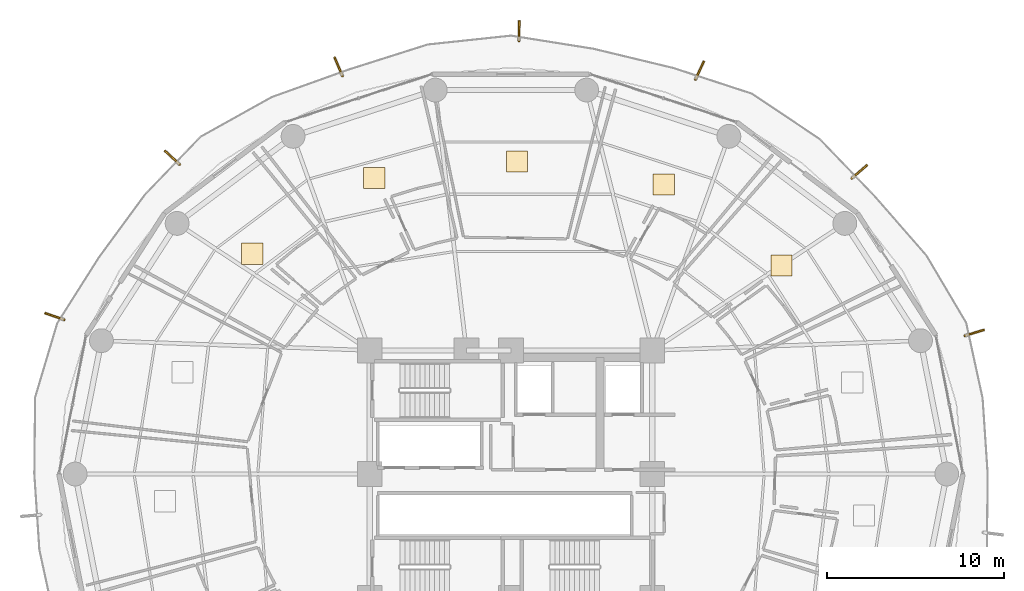
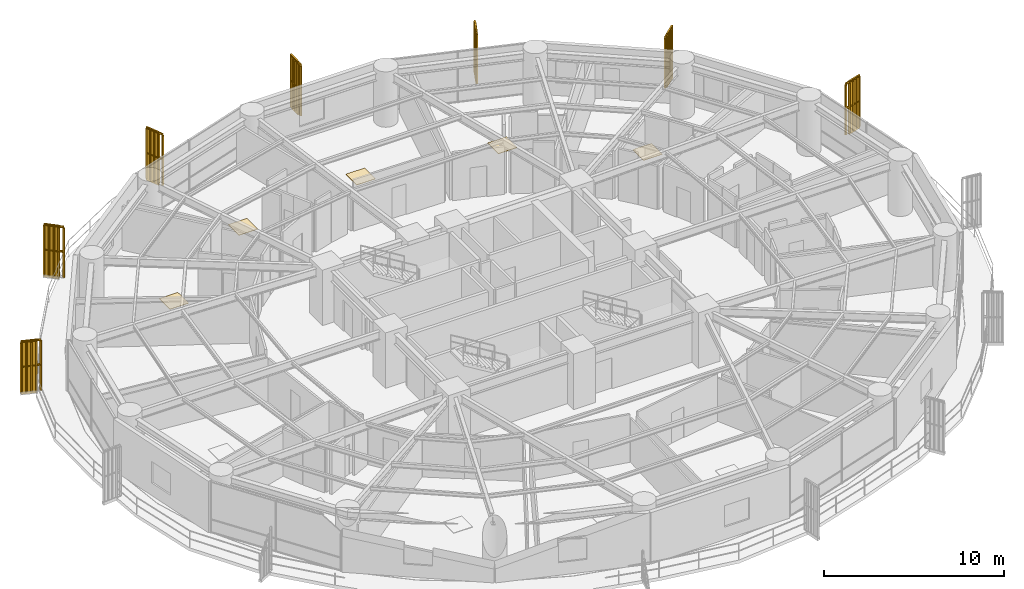
# One storey, part 36 of 36: 7 railings, 7 shading devices, 5 coverings.
"""IFC4 building model written with IfcOpenShell, lengths in metres."""

import ifcopenshell
import ifcopenshell.guid

model = None  # the IFC model being written
_history = None  # IfcOwnerHistory: only IFC2X3 demands one
_inside = {}  # id of a spatial element -> (the spatial element, [elements in it])
_under = {}  # id of a project, library or spatial element -> (it, [spatial elements below it])
_declared = {}  # id of a project -> (the project, [libraries it declares])
_typed = {}  # id of a type object -> (the type object, [elements of that type])
_made_of = {}  # id of a material, layer set ... -> (it, [elements and type objects made of it])


def new_model(schema):
    """Start an empty IFC model of exactly this schema.

    Asked for "IFC4X3", IfcOpenShell would pick the latest addendum, in which some entities
    have other attributes; the version numbers below select the first issue.
    IFC2X3 requires an IfcOwnerHistory on every rooted entity: one is made here for all.
    """
    global model, _history
    if schema == "IFC4X3":
        model = ifcopenshell.file(schema_version=(4, 3, 0, 0))
    else:
        model = ifcopenshell.file(schema=schema)
    _inside.clear()
    _under.clear()
    _declared.clear()
    _typed.clear()
    _made_of.clear()
    _history = None
    if model.schema == "IFC2X3":
        org = make("IfcOrganization", Name="unknown")
        user = make(
            "IfcPersonAndOrganization",
            ThePerson=make("IfcPerson", FamilyName="unknown"),
            TheOrganization=org,
        )
        app = make(
            "IfcApplication",
            ApplicationDeveloper=org,
            Version="unknown",
            ApplicationFullName="unknown",
            ApplicationIdentifier="unknown",
        )
        _history = make(
            "IfcOwnerHistory",
            OwningUser=user,
            OwningApplication=app,
            ChangeAction="ADDED",
            CreationDate=0,
        )
    return model


def make(cls, **values):
    """One entity of the class cls with the attributes given. An attribute that is None is left unset."""
    return model.create_entity(
        cls, **{name: value for name, value in values.items() if value is not None}
    )


def rooted(cls, **values):
    """An entity with a GlobalId (a new one), such as an element, a storey or a relation."""
    return make(cls, GlobalId=ifcopenshell.guid.new(), OwnerHistory=_history, **values)


def si_unit(unit_type, name, prefix=None):
    """IfcSIUnit, for example si_unit("LENGTHUNIT", "METRE", prefix="MILLI")."""
    return make("IfcSIUnit", UnitType=unit_type, Prefix=prefix, Name=name)


def assignment(units):
    """IfcUnitAssignment: the units of a project."""
    return None if units is None else make("IfcUnitAssignment", Units=units)


def point(xyz):
    """IfcCartesianPoint."""
    return None if xyz is None else make("IfcCartesianPoint", Coordinates=xyz)


def direction(xyz):
    """IfcDirection."""
    return None if xyz is None else make("IfcDirection", DirectionRatios=xyz)


def frame(location, z_axis=None, x_axis=None):
    """IfcAxis2Placement3D, a coordinate frame: its origin and axes. An axis left out is left unset."""
    return make(
        "IfcAxis2Placement3D",
        Location=point(location),
        Axis=direction(z_axis),
        RefDirection=direction(x_axis),
    )


def frame_2d(location, x_axis=None):
    """IfcAxis2Placement2D, a coordinate frame in the plane: its origin and x axis."""
    return make(
        "IfcAxis2Placement2D", Location=point(location), RefDirection=direction(x_axis)
    )


def origin():
    """The frame at (0, 0, 0) with its axes left unset."""
    return frame((0.0, 0.0, 0.0))


def origin_2d():
    """The frame at (0, 0) in the plane with its x axis left unset."""
    return frame_2d((0.0, 0.0))


def place(relative_to, where):
    """IfcLocalPlacement: puts the frame where relative to a parent placement (None: the world)."""
    return make(
        "IfcLocalPlacement", PlacementRelTo=relative_to, RelativePlacement=where
    )


def context(
    kind, dimensions, precision=None, world=None, true_north=None, identifier=None
):
    """IfcGeometricRepresentationContext, for example the 3D "Model" context."""
    return make(
        "IfcGeometricRepresentationContext",
        ContextIdentifier=identifier,
        ContextType=kind,
        CoordinateSpaceDimension=dimensions,
        Precision=precision,
        WorldCoordinateSystem=world,
        TrueNorth=true_north,
    )


def subcontext(parent, identifier, kind, view, scale=None):
    """IfcGeometricRepresentationSubContext, for example "Body" below "Model"."""
    return make(
        "IfcGeometricRepresentationSubContext",
        ContextIdentifier=identifier,
        ContextType=kind,
        ParentContext=parent,
        TargetScale=scale,
        TargetView=view,
    )


def project(units=None, contexts=None):
    """IfcProject with its units and contexts."""
    return rooted(
        "IfcProject",
        Name="project",
        RepresentationContexts=contexts,
        UnitsInContext=assignment(units),
    )


def spatial(cls, under=None, at=None, **own):
    """A site, building, storey or space (cls), placed at a placement, below another one or the project."""
    s = rooted(cls, ObjectPlacement=at, **own)
    if under is not None:
        _under.setdefault(under.id(), (under, []))[1].append(s)
    return s


def polyline(points):
    """IfcPolyline through the points."""
    return make("IfcPolyline", Points=[point(p) for p in points])


def profile(cls, at=None, kind="AREA", **sizes):
    """A parametric profile (cls). Its sizes go by their IFC names, for example OverallWidth=200.0."""
    return make(cls, ProfileType=kind, Position=at, **sizes)


def rectangle(**sizes):
    """IfcRectangleProfileDef."""
    return profile("IfcRectangleProfileDef", **sizes)


def outline(outer, holes=None, kind="AREA"):
    """IfcArbitraryClosedProfileDef: a profile drawn as a closed curve; with holes, ...WithVoids."""
    if holes is None:
        return make("IfcArbitraryClosedProfileDef", ProfileType=kind, OuterCurve=outer)
    return make(
        "IfcArbitraryProfileDefWithVoids",
        ProfileType=kind,
        OuterCurve=outer,
        InnerCurves=holes,
    )


def extrude(swept, where, along, depth):
    """IfcExtrudedAreaSolid: the profile swept, set in the frame where, extruded along a direction by depth."""
    return make(
        "IfcExtrudedAreaSolid",
        SweptArea=swept,
        Position=where,
        ExtrudedDirection=direction(along),
        Depth=depth,
    )


def shape(context_of_items, identifier, shape_type, items):
    """IfcShapeRepresentation: the items that make up one representation, for example the "Body"."""
    return make(
        "IfcShapeRepresentation",
        ContextOfItems=context_of_items,
        RepresentationIdentifier=identifier,
        RepresentationType=shape_type,
        Items=items,
    )


def source(mapping_origin, context_of_items, identifier, shape_type, items):
    """IfcRepresentationMap: a shape defined once, which mapped items show again and again."""
    return make(
        "IfcRepresentationMap",
        MappingOrigin=mapping_origin,
        MappedRepresentation=shape(context_of_items, identifier, shape_type, items),
    )


def transform(
    local_origin,
    x_axis=None,
    y_axis=None,
    z_axis=None,
    scale=None,
    scale2=None,
    scale3=None,
    uniform=True,
):
    """IfcCartesianTransformationOperator3D, or its non-uniform kind. x_axis, y_axis, z_axis: its Axis1, 2, 3."""
    if uniform:
        return make(
            "IfcCartesianTransformationOperator3D",
            Axis1=direction(x_axis),
            Axis2=direction(y_axis),
            LocalOrigin=point(local_origin),
            Scale=scale,
            Axis3=direction(z_axis),
        )
    return make(
        "IfcCartesianTransformationOperator3DnonUniform",
        Axis1=direction(x_axis),
        Axis2=direction(y_axis),
        LocalOrigin=point(local_origin),
        Scale=scale,
        Axis3=direction(z_axis),
        Scale2=scale2,
        Scale3=scale3,
    )


def mapped(mapping_source, mapping_target):
    """IfcMappedItem: shows the shape of a source again, moved by a transform."""
    return make(
        "IfcMappedItem", MappingSource=mapping_source, MappingTarget=mapping_target
    )


def material(Name=None, Category=None):
    """IfcMaterial."""
    return make("IfcMaterial", Name=Name, Category=Category)


def layer(
    of_material, thickness, ventilated=None, Name=None, Category=None, Priority=None
):
    """IfcMaterialLayer: one layer of a wall or slab, of a material (None: an air gap)."""
    return make(
        "IfcMaterialLayer",
        Material=of_material,
        LayerThickness=thickness,
        IsVentilated=ventilated,
        Name=Name,
        Category=Category,
        Priority=Priority,
    )


def layer_set(layers, Name=None):
    """IfcMaterialLayerSet."""
    return make("IfcMaterialLayerSet", MaterialLayers=layers, LayerSetName=Name)


def made_of(thing, what):
    """Note that an element or type object is made of a material, layer set ...; save() writes the relation."""
    if what is not None:
        _made_of.setdefault(what.id(), (what, []))[1].append(thing)
    return thing


def type_object(cls, material=None, **own):
    """A type object (cls), such as IfcWallType, which elements share."""
    return made_of(rooted(cls, **own), material)


def element(
    cls,
    number,
    at=None,
    inside=None,
    cuts=None,
    type_object=None,
    material=None,
    context=None,
    identifier="Body",
    shape_type=None,
    held_by="IfcProductDefinitionShape",
    body=None,
    shapes=None,
    **own,
):
    """One element of the class cls, such as IfcWall. Its Tag is "e" and its number.

    at: its placement. inside: the storey or other place that contains it. cuts: it is an
    opening in that element (IfcRelVoidsElement). A single representation is given by context,
    identifier, shape_type and body (its items); several are given by shapes. held_by: the class
    of the entity that holds the representations. save() writes the other relations.
    """
    e = rooted(cls, Tag="e%d" % number, ObjectPlacement=at, **own)
    if body is not None:
        shapes = [shape(context, identifier, shape_type, body)]
    if shapes is not None:
        e.Representation = make(held_by, Representations=shapes)
    if inside is not None:
        _inside.setdefault(inside.id(), (inside, []))[1].append(e)
    if cuts is not None:
        rooted(
            "IfcRelVoidsElement", RelatingBuildingElement=cuts, RelatedOpeningElement=e
        )
    if type_object is not None:
        _typed.setdefault(type_object.id(), (type_object, []))[1].append(e)
    return made_of(e, material)


def aggregate(whole, parts):
    """IfcRelAggregates: a whole, such as a stair, and the parts it consists of."""
    return rooted("IfcRelAggregates", RelatingObject=whole, RelatedObjects=parts)


def save(model, path):
    """Write the relations noted so far, then the file.

    IfcRelAggregates (storeys below a building ...), IfcRelContainedInSpatialStructure (elements
    in a storey), IfcRelDefinesByType, IfcRelAssociatesMaterial and IfcRelDeclares: one each for
    every whole, place, type object, material and project.
    """
    for whole, parts in _under.values():
        aggregate(whole, parts)
    for where, things in _inside.values():
        rooted(
            "IfcRelContainedInSpatialStructure",
            RelatedElements=things,
            RelatingStructure=where,
        )
    for kind, things in _typed.values():
        rooted("IfcRelDefinesByType", RelatedObjects=things, RelatingType=kind)
    for what, things in _made_of.values():
        rooted("IfcRelAssociatesMaterial", RelatedObjects=things, RelatingMaterial=what)
    for by, libraries in _declared.values():
        rooted("IfcRelDeclares", RelatingContext=by, RelatedDefinitions=libraries)
    model.write(path)


model = new_model("IFC4")

# Units and contexts
model_context = context("Model", 3, precision=1e-05, world=origin(), true_north=direction((0.0, 1.0)))
body_context = subcontext(model_context, "Body", "Model", "MODEL_VIEW")
ifc_project = project(units=[si_unit("LENGTHUNIT", "METRE"), si_unit("AREAUNIT", "SQUARE_METRE"), si_unit("VOLUMEUNIT", "CUBIC_METRE"), si_unit("PLANEANGLEUNIT", "RADIAN"), si_unit("MASSUNIT", "GRAM", prefix="KILO")], contexts=[model_context])

# Site, building, storey
site_placement = place(None, origin())
site = spatial("IfcSite", under=ifc_project, at=site_placement, CompositionType="ELEMENT")
building_placement = place(site_placement, origin())
building = spatial("IfcBuilding", under=site, at=building_placement, Name="Kelanora Arch Commons", CompositionType="ELEMENT")
storey_placement = place(building_placement, frame((0.0, 0.0, 98.85009765625)))
storey = spatial("IfcBuildingStorey", under=building, at=storey_placement, Name="L25", CompositionType="ELEMENT", Elevation=98.85009765625)

# Railings
ifc_material_1 = material(Name="Anodised bronze vertical shading fin rib assembly")
railing_type = type_object("IfcRailingType", Name="RAIL-FIN-BRZ", PredefinedType="BALUSTRADE", material=ifc_material_1)
railing_1_placement = place(storey_placement, frame((93.307373046875, 74.75244140625, -0.02001953125)))
element("IfcRailing", 1, at=railing_1_placement, inside=storey, type_object=railing_type, Name="Sweeping Bronze Vertical Fin Blade L25-00", PredefinedType="BALUSTRADE", context=body_context, shape_type="SweptSolid", body=[
    extrude(outline(polyline([(0.06982421875, 0.0), (0.034912109375, 0.060546875), (-0.034912109375, 0.060546875), (-0.06982421875, 0.0), (-0.034912109375, -0.060546875), (0.034912109375, -0.060546875), (0.06982421875, 0.0)])), frame((0.0, 0.0, 3.419921875), z_axis=(0.755397921471, 0.655266342976, 0.0), x_axis=(-0.655266342976, 0.755397921471, 0.0)), (0.0, 0.0, 1.0), 1.10693359375),
    extrude(outline(polyline([(0.06982421875, 0.0), (0.034912109375, 0.060546875), (-0.034912109375, 0.060546875), (-0.06982421875, 0.0), (-0.034912109375, -0.060546875), (0.034912109375, -0.060546875), (0.06982421875, 0.0)])), frame((0.0, 0.0, 1.7451171875), z_axis=(0.755397921471, 0.655266342976, 0.0), x_axis=(-0.655266342976, 0.755397921471, 0.0)), (0.0, 0.0, 1.0), 1.10693359375),
    extrude(outline(polyline([(0.080078125, 0.0), (0.0400390625, 0.0693359375), (-0.0400390625, 0.0693359375), (-0.080078125, 0.0), (-0.0400390625, -0.0693359375), (0.0400390625, -0.0693359375), (0.080078125, 0.0)])), origin(), (0.0, 0.0, 1.0), 3.35009765625),
    extrude(outline(polyline([(0.080078125, 0.0), (0.0400390625, 0.0693359375), (-0.0400390625, 0.0693359375), (-0.080078125, 0.0), (-0.0400390625, -0.0693359375), (0.0400390625, -0.0693359375), (0.080078125, 0.0)])), frame((0.208984375, 0.181396484375, 0.0)), (0.0, 0.0, 1.0), 3.35009765625),
    extrude(outline(polyline([(0.080078125, 0.0), (0.0400390625, 0.0693359375), (-0.0400390625, 0.0693359375), (-0.080078125, 0.0), (-0.0400390625, -0.0693359375), (0.0400390625, -0.0693359375), (0.080078125, 0.0)])), frame((0.41796875, 0.36279296875, 0.0)), (0.0, 0.0, 1.0), 3.35009765625),
    extrude(outline(polyline([(0.080078125, 0.0), (0.0400390625, 0.0693359375), (-0.0400390625, 0.0693359375), (-0.080078125, 0.0), (-0.0400390625, -0.0693359375), (0.0400390625, -0.0693359375), (0.080078125, 0.0)])), frame((0.627197265625, 0.5439453125, 0.0)), (0.0, 0.0, 1.0), 3.35009765625),
    extrude(outline(polyline([(0.080078125, 0.0), (0.0400390625, 0.0693359375), (-0.0400390625, 0.0693359375), (-0.080078125, 0.0), (-0.0400390625, -0.0693359375), (0.0400390625, -0.0693359375), (0.080078125, 0.0)])), frame((0.836181640625, 0.725341796875, 0.0)), (0.0, 0.0, 1.0), 3.35009765625),
])
railing_2_placement = place(storey_placement, frame((84.44970703125, 80.355712890625, -0.02001953125)))
element("IfcRailing", 2, at=railing_2_placement, inside=storey, type_object=railing_type, Name="Sweeping Bronze Vertical Fin Blade L25-01", PredefinedType="BALUSTRADE", context=body_context, shape_type="SweptSolid", body=[
    extrude(outline(polyline([(0.06982421875, 0.0), (0.034912109375, 0.060546875), (-0.034912109375, 0.060546875), (-0.06982421875, 0.0), (-0.034912109375, -0.060546875), (0.034912109375, -0.060546875), (0.06982421875, 0.0)])), frame((0.0, 0.0, 3.419921875), z_axis=(0.423682190162, 0.905810908379, 0.0), x_axis=(-0.905810908379, 0.423682190162, 0.0)), (0.0, 0.0, 1.0), 1.10693359375),
    extrude(outline(polyline([(0.06982421875, 0.0), (0.034912109375, 0.060546875), (-0.034912109375, 0.060546875), (-0.06982421875, 0.0), (-0.034912109375, -0.060546875), (0.034912109375, -0.060546875), (0.06982421875, 0.0)])), frame((0.0, 0.0, 1.7451171875), z_axis=(0.423682190162, 0.905810908379, 0.0), x_axis=(-0.905810908379, 0.423682190162, 0.0)), (0.0, 0.0, 1.0), 1.10693359375),
    extrude(outline(polyline([(0.080078125, 0.0), (0.0400390625, 0.0693359375), (-0.0400390625, 0.0693359375), (-0.080078125, 0.0), (-0.0400390625, -0.0693359375), (0.0400390625, -0.0693359375), (0.080078125, 0.0)])), origin(), (0.0, 0.0, 1.0), 3.35009765625),
    extrude(outline(polyline([(0.080078125, 0.0), (0.0400390625, 0.0693359375), (-0.0400390625, 0.0693359375), (-0.080078125, 0.0), (-0.0400390625, -0.0693359375), (0.0400390625, -0.0693359375), (0.080078125, 0.0)])), frame((0.1171875, 0.250732421875, 0.0)), (0.0, 0.0, 1.0), 3.35009765625),
    extrude(outline(polyline([(0.080078125, 0.0), (0.0400390625, 0.0693359375), (-0.0400390625, 0.0693359375), (-0.080078125, 0.0), (-0.0400390625, -0.0693359375), (0.0400390625, -0.0693359375), (0.080078125, 0.0)])), frame((0.234375, 0.50146484375, 0.0)), (0.0, 0.0, 1.0), 3.35009765625),
    extrude(outline(polyline([(0.080078125, 0.0), (0.0400390625, 0.0693359375), (-0.0400390625, 0.0693359375), (-0.080078125, 0.0), (-0.0400390625, -0.0693359375), (0.0400390625, -0.0693359375), (0.080078125, 0.0)])), frame((0.351806640625, 0.751953125, 0.0)), (0.0, 0.0, 1.0), 3.35009765625),
    extrude(outline(polyline([(0.080078125, 0.0), (0.0400390625, 0.0693359375), (-0.0400390625, 0.0693359375), (-0.080078125, 0.0), (-0.0400390625, -0.0693359375), (0.0400390625, -0.0693359375), (0.080078125, 0.0)])), frame((0.468994140625, 1.002685546875, 0.0)), (0.0, 0.0, 1.0), 3.35009765625),
])
railing_3_placement = place(storey_placement, frame((74.450927734375, 82.535400390625, -0.02001953125)))
element("IfcRailing", 3, at=railing_3_placement, inside=storey, type_object=railing_type, Name="Sweeping Bronze Vertical Fin Blade L25-02", PredefinedType="BALUSTRADE", context=body_context, shape_type="SweptSolid", body=[
    extrude(outline(polyline([(0.06982421875, 0.0), (0.034912109375, 0.060546875), (-0.034912109375, 0.060546875), (-0.06982421875, 0.0), (-0.034912109375, -0.060546875), (0.034912109375, -0.060546875), (0.06982421875, 0.0)])), frame((0.0, 0.0, 3.419921875), z_axis=(0.018307101282, 0.999832410978, 0.0), x_axis=(-0.999832410978, 0.018307101282, 0.0)), (0.0, 0.0, 1.0), 1.10693359375),
    extrude(outline(polyline([(0.06982421875, 0.0), (0.034912109375, 0.060546875), (-0.034912109375, 0.060546875), (-0.06982421875, 0.0), (-0.034912109375, -0.060546875), (0.034912109375, -0.060546875), (0.06982421875, 0.0)])), frame((0.0, 0.0, 1.7451171875), z_axis=(0.018307101282, 0.999832410978, 0.0), x_axis=(-0.999832410978, 0.018307101282, 0.0)), (0.0, 0.0, 1.0), 1.10693359375),
    extrude(outline(polyline([(0.080078125, 0.0), (0.0400390625, 0.0693359375), (-0.0400390625, 0.0693359375), (-0.080078125, 0.0), (-0.0400390625, -0.0693359375), (0.0400390625, -0.0693359375), (0.080078125, 0.0)])), origin(), (0.0, 0.0, 1.0), 3.35009765625),
    extrude(outline(polyline([(0.080078125, 0.0), (0.0400390625, 0.0693359375), (-0.0400390625, 0.0693359375), (-0.080078125, 0.0), (-0.0400390625, -0.0693359375), (0.0400390625, -0.0693359375), (0.080078125, 0.0)])), frame((0.005126953125, 0.276611328125, 0.0)), (0.0, 0.0, 1.0), 3.35009765625),
    extrude(outline(polyline([(0.080078125, 0.0), (0.0400390625, 0.0693359375), (-0.0400390625, 0.0693359375), (-0.080078125, 0.0), (-0.0400390625, -0.0693359375), (0.0400390625, -0.0693359375), (0.080078125, 0.0)])), frame((0.01025390625, 0.55322265625, 0.0)), (0.0, 0.0, 1.0), 3.35009765625),
    extrude(outline(polyline([(0.080078125, 0.0), (0.0400390625, 0.0693359375), (-0.0400390625, 0.0693359375), (-0.080078125, 0.0), (-0.0400390625, -0.0693359375), (0.0400390625, -0.0693359375), (0.080078125, 0.0)])), frame((0.01513671875, 0.830078125, 0.0)), (0.0, 0.0, 1.0), 3.35009765625),
    extrude(outline(polyline([(0.080078125, 0.0), (0.0400390625, 0.0693359375), (-0.0400390625, 0.0693359375), (-0.080078125, 0.0), (-0.0400390625, -0.0693359375), (0.0400390625, -0.0693359375), (0.080078125, 0.0)])), frame((0.020263671875, 1.106689453125, 0.0)), (0.0, 0.0, 1.0), 3.35009765625),
])
railing_4_placement = place(storey_placement, frame((64.4541015625, 80.54638671875, -0.02001953125)))
element("IfcRailing", 4, at=railing_4_placement, inside=storey, type_object=railing_type, Name="Sweeping Bronze Vertical Fin Blade L25-03", PredefinedType="BALUSTRADE", context=body_context, shape_type="SweptSolid", body=[
    extrude(outline(polyline([(0.06982421875, 0.0), (0.034912109375, 0.060546875), (-0.034912109375, 0.060546875), (-0.06982421875, 0.0), (-0.034912109375, -0.060546875), (0.034912109375, -0.060546875), (0.06982421875, 0.0)])), frame((0.0, 0.0, 3.419921875), z_axis=(-0.389683156365, 0.920948987537, 0.0), x_axis=(-0.920948987537, -0.389683156365, 0.0)), (0.0, 0.0, 1.0), 1.10693359375),
    extrude(outline(polyline([(0.06982421875, 0.0), (0.034912109375, 0.060546875), (-0.034912109375, 0.060546875), (-0.06982421875, 0.0), (-0.034912109375, -0.060546875), (0.034912109375, -0.060546875), (0.06982421875, 0.0)])), frame((0.0, 0.0, 1.7451171875), z_axis=(-0.389683156365, 0.920948987537, 0.0), x_axis=(-0.920948987537, -0.389683156365, 0.0)), (0.0, 0.0, 1.0), 1.10693359375),
    extrude(outline(polyline([(0.080078125, 0.0), (0.0400390625, 0.0693359375), (-0.0400390625, 0.0693359375), (-0.080078125, 0.0), (-0.0400390625, -0.0693359375), (0.0400390625, -0.0693359375), (0.080078125, 0.0)])), origin(), (0.0, 0.0, 1.0), 3.35009765625),
    extrude(outline(polyline([(0.080078125, 0.0), (0.0400390625, 0.0693359375), (-0.0400390625, 0.0693359375), (-0.080078125, 0.0), (-0.0400390625, -0.0693359375), (0.0400390625, -0.0693359375), (0.080078125, 0.0)])), frame((-0.10791015625, 0.2548828125, 0.0)), (0.0, 0.0, 1.0), 3.35009765625),
    extrude(outline(polyline([(0.080078125, 0.0), (0.0400390625, 0.0693359375), (-0.0400390625, 0.0693359375), (-0.080078125, 0.0), (-0.0400390625, -0.0693359375), (0.0400390625, -0.0693359375), (0.080078125, 0.0)])), frame((-0.2158203125, 0.509765625, 0.0)), (0.0, 0.0, 1.0), 3.35009765625),
    extrude(outline(polyline([(0.080078125, 0.0), (0.0400390625, 0.0693359375), (-0.0400390625, 0.0693359375), (-0.080078125, 0.0), (-0.0400390625, -0.0693359375), (0.0400390625, -0.0693359375), (0.080078125, 0.0)])), frame((-0.323486328125, 0.7646484375, 0.0)), (0.0, 0.0, 1.0), 3.35009765625),
    extrude(outline(polyline([(0.080078125, 0.0), (0.0400390625, 0.0693359375), (-0.0400390625, 0.0693359375), (-0.080078125, 0.0), (-0.0400390625, -0.0693359375), (0.0400390625, -0.0693359375), (0.080078125, 0.0)])), frame((-0.431396484375, 1.01953125, 0.0)), (0.0, 0.0, 1.0), 3.35009765625),
])
railing_5_placement = place(storey_placement, frame((55.227294921875, 75.538330078125, -0.02001953125)))
element("IfcRailing", 5, at=railing_5_placement, inside=storey, type_object=railing_type, Name="Sweeping Bronze Vertical Fin Blade L25-04", PredefinedType="BALUSTRADE", context=body_context, shape_type="SweptSolid", body=[
    extrude(outline(polyline([(0.06982421875, 0.0), (0.034912109375, 0.060546875), (-0.034912109375, 0.060546875), (-0.06982421875, 0.0), (-0.034912109375, -0.060546875), (0.034912109375, -0.060546875), (0.06982421875, 0.0)])), frame((0.0, 0.0, 3.419921875), z_axis=(-0.730739794478, 0.682656101391, 0.0), x_axis=(-0.682656101391, -0.730739794478, 0.0)), (0.0, 0.0, 1.0), 1.10693359375),
    extrude(outline(polyline([(0.06982421875, 0.0), (0.034912109375, 0.060546875), (-0.034912109375, 0.060546875), (-0.06982421875, 0.0), (-0.034912109375, -0.060546875), (0.034912109375, -0.060546875), (0.06982421875, 0.0)])), frame((0.0, 0.0, 1.7451171875), z_axis=(-0.730739794478, 0.682656101391, 0.0), x_axis=(-0.682656101391, -0.730739794478, 0.0)), (0.0, 0.0, 1.0), 1.10693359375),
    extrude(outline(polyline([(0.080078125, 0.0), (0.0400390625, 0.0693359375), (-0.0400390625, 0.0693359375), (-0.080078125, 0.0), (-0.0400390625, -0.0693359375), (0.0400390625, -0.0693359375), (0.080078125, 0.0)])), origin(), (0.0, 0.0, 1.0), 3.35009765625),
    extrude(outline(polyline([(0.080078125, 0.0), (0.0400390625, 0.0693359375), (-0.0400390625, 0.0693359375), (-0.080078125, 0.0), (-0.0400390625, -0.0693359375), (0.0400390625, -0.0693359375), (0.080078125, 0.0)])), frame((-0.2021484375, 0.18896484375, 0.0)), (0.0, 0.0, 1.0), 3.35009765625),
    extrude(outline(polyline([(0.080078125, 0.0), (0.0400390625, 0.0693359375), (-0.0400390625, 0.0693359375), (-0.080078125, 0.0), (-0.0400390625, -0.0693359375), (0.0400390625, -0.0693359375), (0.080078125, 0.0)])), frame((-0.404296875, 0.3779296875, 0.0)), (0.0, 0.0, 1.0), 3.35009765625),
    extrude(outline(polyline([(0.080078125, 0.0), (0.0400390625, 0.0693359375), (-0.0400390625, 0.0693359375), (-0.080078125, 0.0), (-0.0400390625, -0.0693359375), (0.0400390625, -0.0693359375), (0.080078125, 0.0)])), frame((-0.606689453125, 0.566650390625, 0.0)), (0.0, 0.0, 1.0), 3.35009765625),
    extrude(outline(polyline([(0.080078125, 0.0), (0.0400390625, 0.0693359375), (-0.0400390625, 0.0693359375), (-0.080078125, 0.0), (-0.0400390625, -0.0693359375), (0.0400390625, -0.0693359375), (0.080078125, 0.0)])), frame((-0.808837890625, 0.755615234375, 0.0)), (0.0, 0.0, 1.0), 3.35009765625),
])
railing_6_placement = place(storey_placement, frame((48.68701171875, 66.7421875, -0.02001953125)))
element("IfcRailing", 6, at=railing_6_placement, inside=storey, type_object=railing_type, Name="Sweeping Bronze Vertical Fin Blade L25-05", PredefinedType="BALUSTRADE", context=body_context, shape_type="SweptSolid", body=[
    extrude(outline(polyline([(0.06982421875, 0.0), (0.034912109375, 0.060546875), (-0.034912109375, 0.060546875), (-0.06982421875, 0.0), (-0.034912109375, -0.060546875), (0.034912109375, -0.060546875), (0.06982421875, 0.0)])), frame((0.0, 0.0, 3.419921875), z_axis=(-0.945232273378, 0.326398451843, 0.0), x_axis=(-0.326398451843, -0.945232273378, 0.0)), (0.0, 0.0, 1.0), 1.10693359375),
    extrude(outline(polyline([(0.06982421875, 0.0), (0.034912109375, 0.060546875), (-0.034912109375, 0.060546875), (-0.06982421875, 0.0), (-0.034912109375, -0.060546875), (0.034912109375, -0.060546875), (0.06982421875, 0.0)])), frame((0.0, 0.0, 1.7451171875), z_axis=(-0.945232273378, 0.326398451843, 0.0), x_axis=(-0.326398451843, -0.945232273378, 0.0)), (0.0, 0.0, 1.0), 1.10693359375),
    extrude(outline(polyline([(0.080078125, 0.0), (0.0400390625, 0.0693359375), (-0.0400390625, 0.0693359375), (-0.080078125, 0.0), (-0.0400390625, -0.0693359375), (0.0400390625, -0.0693359375), (0.080078125, 0.0)])), origin(), (0.0, 0.0, 1.0), 3.35009765625),
    extrude(outline(polyline([(0.080078125, 0.0), (0.0400390625, 0.0693359375), (-0.0400390625, 0.0693359375), (-0.080078125, 0.0), (-0.0400390625, -0.0693359375), (0.0400390625, -0.0693359375), (0.080078125, 0.0)])), frame((-0.26171875, 0.09033203125, 0.0)), (0.0, 0.0, 1.0), 3.35009765625),
    extrude(outline(polyline([(0.080078125, 0.0), (0.0400390625, 0.0693359375), (-0.0400390625, 0.0693359375), (-0.080078125, 0.0), (-0.0400390625, -0.0693359375), (0.0400390625, -0.0693359375), (0.080078125, 0.0)])), frame((-0.523193359375, 0.1806640625, 0.0)), (0.0, 0.0, 1.0), 3.35009765625),
    extrude(outline(polyline([(0.080078125, 0.0), (0.0400390625, 0.0693359375), (-0.0400390625, 0.0693359375), (-0.080078125, 0.0), (-0.0400390625, -0.0693359375), (0.0400390625, -0.0693359375), (0.080078125, 0.0)])), frame((-0.78466796875, 0.27099609375, 0.0)), (0.0, 0.0, 1.0), 3.35009765625),
    extrude(outline(polyline([(0.080078125, 0.0), (0.0400390625, 0.0693359375), (-0.0400390625, 0.0693359375), (-0.080078125, 0.0), (-0.0400390625, -0.0693359375), (0.0400390625, -0.0693359375), (0.080078125, 0.0)])), frame((-1.04638671875, 0.361328125, 0.0)), (0.0, 0.0, 1.0), 3.35009765625),
])
railing_7_placement = place(storey_placement, frame((99.711669921875, 65.8349609375, -0.02001953125)))
element("IfcRailing", 7, at=railing_7_placement, inside=storey, type_object=railing_type, Name="Sweeping Bronze Vertical Fin Blade L25-14", PredefinedType="BALUSTRADE", context=body_context, shape_type="SweptSolid", body=[
    extrude(outline(polyline([(0.06982421875, 0.0), (0.034912109375, 0.060546875), (-0.034912109375, 0.060546875), (-0.06982421875, 0.0), (-0.034912109375, -0.060546875), (0.034912109375, -0.060546875), (0.06982421875, 0.0)])), frame((0.0, 0.0, 3.419921875), z_axis=(0.956609747083, 0.291372256375, 0.0), x_axis=(-0.291372256375, 0.956609747083, 0.0)), (0.0, 0.0, 1.0), 1.10693359375),
    extrude(outline(polyline([(0.06982421875, 0.0), (0.034912109375, 0.060546875), (-0.034912109375, 0.060546875), (-0.06982421875, 0.0), (-0.034912109375, -0.060546875), (0.034912109375, -0.060546875), (0.06982421875, 0.0)])), frame((0.0, 0.0, 1.7451171875), z_axis=(0.956609747083, 0.291372256375, 0.0), x_axis=(-0.291372256375, 0.956609747083, 0.0)), (0.0, 0.0, 1.0), 1.10693359375),
    extrude(outline(polyline([(0.080078125, 0.0), (0.0400390625, 0.0693359375), (-0.0400390625, 0.0693359375), (-0.080078125, 0.0), (-0.0400390625, -0.0693359375), (0.0400390625, -0.0693359375), (0.080078125, 0.0)])), origin(), (0.0, 0.0, 1.0), 3.35009765625),
    extrude(outline(polyline([(0.080078125, 0.0), (0.0400390625, 0.0693359375), (-0.0400390625, 0.0693359375), (-0.080078125, 0.0), (-0.0400390625, -0.0693359375), (0.0400390625, -0.0693359375), (0.080078125, 0.0)])), frame((0.2646484375, 0.08056640625, 0.0)), (0.0, 0.0, 1.0), 3.35009765625),
    extrude(outline(polyline([(0.080078125, 0.0), (0.0400390625, 0.0693359375), (-0.0400390625, 0.0693359375), (-0.080078125, 0.0), (-0.0400390625, -0.0693359375), (0.0400390625, -0.0693359375), (0.080078125, 0.0)])), frame((0.529296875, 0.1611328125, 0.0)), (0.0, 0.0, 1.0), 3.35009765625),
    extrude(outline(polyline([(0.080078125, 0.0), (0.0400390625, 0.0693359375), (-0.0400390625, 0.0693359375), (-0.080078125, 0.0), (-0.0400390625, -0.0693359375), (0.0400390625, -0.0693359375), (0.080078125, 0.0)])), frame((0.794189453125, 0.241943359375, 0.0)), (0.0, 0.0, 1.0), 3.35009765625),
    extrude(outline(polyline([(0.080078125, 0.0), (0.0400390625, 0.0693359375), (-0.0400390625, 0.0693359375), (-0.080078125, 0.0), (-0.0400390625, -0.0693359375), (0.0400390625, -0.0693359375), (0.080078125, 0.0)])), frame((1.058837890625, 0.322509765625, 0.0)), (0.0, 0.0, 1.0), 3.35009765625),
])

# Shading devices
ifc_material_2 = material(Name="Terracotta ceramic-clad extruded aluminium fin", Category="masonry")
shading_device_type = type_object("IfcShadingDeviceType", Name="SHD-FIN-FLARE", PredefinedType="USERDEFINED", material=ifc_material_2)
shared_shape_1 = source(origin(), body_context, "Body", "SweptSolid", [
    extrude(rectangle(XDim=0.8798828125, YDim=0.090087890625, at=origin_2d()), origin(), (0.0, 0.0, 1.0), 3.610107421875),
])
for number, where, z_axis, x_axis, name in (
    (8, (93.831298828125, 75.206787109375, -0.14013671875), (0.0, 0.0, 1.0), (0.755281812285, 0.655400170912, 0.0), "Sweeping Terracotta Fin L25-00"),
    (9, (84.743408203125, 80.98388671875, -0.14013671875), (0.0, 0.0, 1.0), (0.423409003465, 0.90593863798, 0.0), "Sweeping Terracotta Fin L25-01"),
    (10, (74.463623046875, 83.228759765625, -0.14013671875), (0.0, 0.0, 1.0), (0.018324931396, 0.999832084347, 0.0), "Sweeping Terracotta Fin L25-02"),
    (11, (64.183837890625, 81.18505859375, -0.14013671875), (0.0, 0.0, 1.0), (-0.389927687788, 0.920845480141, 0.0), "Sweeping Terracotta Fin L25-03"),
    (12, (54.720703125, 76.01171875, -0.14013671875), (0.0, 0.0, 1.0), (-0.730758267372, 0.6826363268, 0.0), "Sweeping Terracotta Fin L25-04"),
    (13, (48.031494140625, 66.968505859375, -0.14013671875), (0.0, 0.0, 1.0), (-0.945234103797, 0.326393150999, 0.0), "Sweeping Terracotta Fin L25-05"),
    (14, (100.375, 66.037109375, -0.14013671875), (0.0, 0.0, 1.0), (0.956559534241, 0.29153706017, 0.0), "Sweeping Terracotta Fin L25-14"),
):
    element("IfcShadingDevice", number, at=place(storey_placement, frame(where, z_axis=z_axis, x_axis=x_axis)), inside=storey, type_object=shading_device_type, Name=name, ObjectType="FIN", PredefinedType="USERDEFINED", context=body_context, shape_type="MappedRepresentation", body=[
        mapped(shared_shape_1, transform((0.0, 0.0, 0.0), scale=1.0)),
    ])

# Coverings
ifc_material_3 = material(Name="Polished local granite terrazzo flooring", Category="masonry")
ifc_layer = layer(ifc_material_3, 0.030029296875)
ifc_layer_set = layer_set([ifc_layer], Name="Polished local granite terrazzo flooring")
covering_type = type_object("IfcCoveringType", Name="COV-FLR-TER", PredefinedType="FLOORING", material=ifc_layer_set)
shared_shape_2 = source(origin(), body_context, "Body", "SweptSolid", [
    extrude(rectangle(XDim=1.199951171875, YDim=1.199951171875, at=origin_2d()), origin(), (0.0, 0.0, 1.0), 0.030029296875),
])
for number, where, z_axis, x_axis, name in (
    (15, (89.316162109375, 69.80859375, 0.0), (0.0, 0.0, 1.0), (1.0, 0.0, 0.0), "Co-Living Studio L25-02 Terrazzo Finish"),
    (16, (82.656005859375, 74.3935546875, 0.0), (0.0, 0.0, 1.0), (1.0, 0.0, 0.0), "Co-Living Studio L25-03 Terrazzo Finish"),
    (17, (74.343505859375, 75.7021484375, 0.0), (0.0, 0.0, 1.0), (1.0, 0.0, 0.0), "Communal Dining and Social Hall L25-04 Terrazzo Finish"),
    (18, (66.255126953125, 74.75732421875, 0.0), (0.0, 0.0, 1.0), (1.0, 0.0, 0.0), "Co-Living Studio L25-05 Terrazzo Finish"),
    (19, (59.35107421875, 70.47265625, 0.0), (0.0, 0.0, 1.0), (1.0, 0.0, 0.0), "Co-Living Studio L25-06 Terrazzo Finish"),
):
    element("IfcCovering", number, at=place(storey_placement, frame(where, z_axis=z_axis, x_axis=x_axis)), inside=storey, type_object=covering_type, Name=name, PredefinedType="FLOORING", context=body_context, shape_type="MappedRepresentation", body=[
        mapped(shared_shape_2, transform((0.0, 0.0, 0.0), scale=1.0)),
    ])

save(model, "model.ifc")
